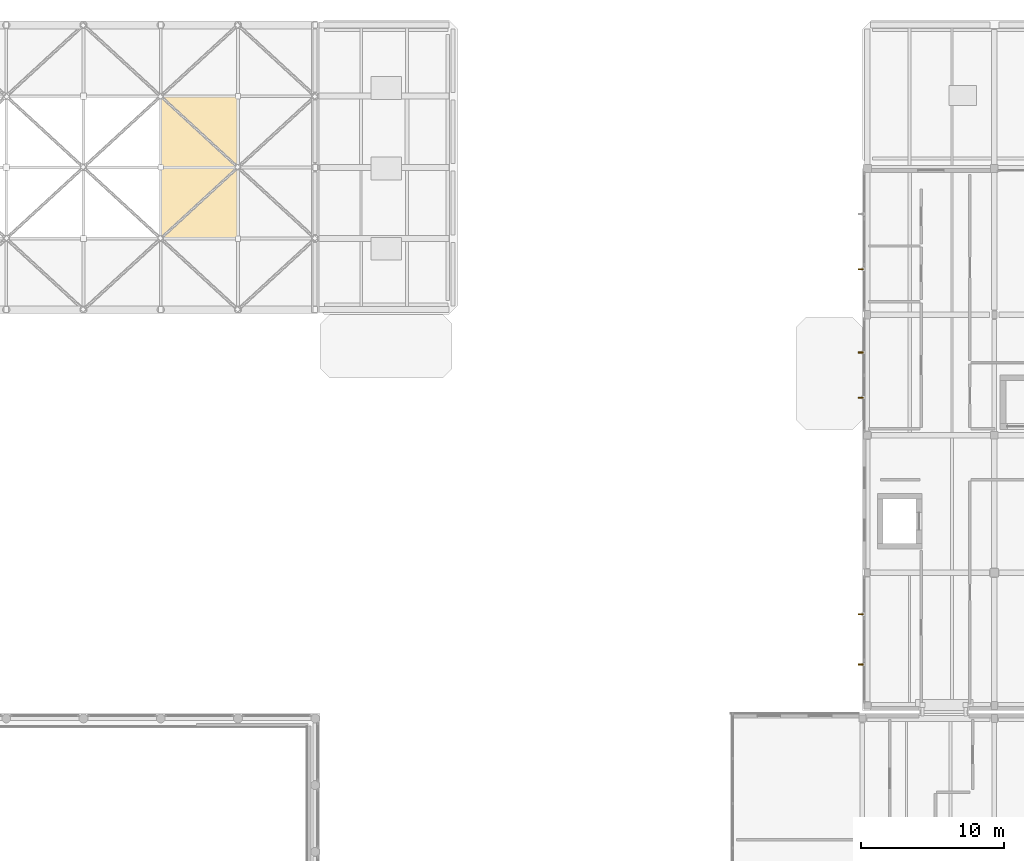
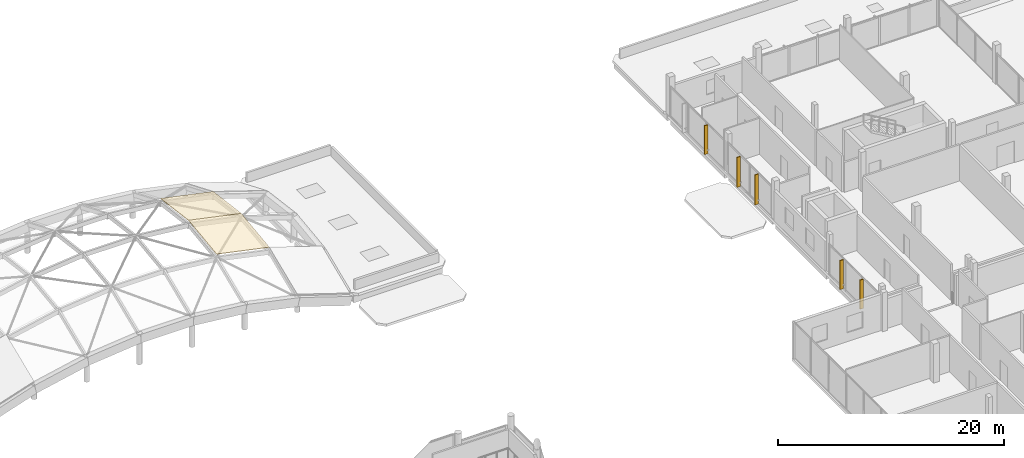
# One storey, part 62 of 66: 5 shading devices, 2 coverings.
"""IFC4 building model written with IfcOpenShell, lengths in metres."""

from ifc_helpers import new_model, si_unit, direction, frame, origin, origin_2d, place, context, subcontext, project, spatial, polyline, rectangle, outline, extrude, material, layer, layer_set, type_object, element, save


model = new_model("IFC4")

# Units and contexts
model_context = context("Model", 3, precision=1e-05, world=origin(), true_north=direction((0.0, 1.0)))
body_context = subcontext(model_context, "Body", "Model", "MODEL_VIEW")
ifc_project = project(units=[si_unit("LENGTHUNIT", "METRE"), si_unit("AREAUNIT", "SQUARE_METRE"), si_unit("VOLUMEUNIT", "CUBIC_METRE"), si_unit("PLANEANGLEUNIT", "RADIAN"), si_unit("MASSUNIT", "GRAM", prefix="KILO")], contexts=[model_context])

# Site, building, storey
site_placement = place(None, origin())
site = spatial("IfcSite", under=ifc_project, at=site_placement, CompositionType="ELEMENT")
building_placement = place(site_placement, origin())
building = spatial("IfcBuilding", under=site, at=building_placement, Name="Birchvale Park Specialist Clinic", CompositionType="ELEMENT")
storey_placement = place(building_placement, frame((0.0, 0.0, 5.39990234375)))
storey = spatial("IfcBuildingStorey", under=building, at=storey_placement, Name="L01", CompositionType="ELEMENT", Elevation=5.39990234375)

# Coverings
ifc_material_1 = material(Name="Standing-seam titanium-zinc roofing")
ifc_layer = layer(ifc_material_1, 0.054931640625)
ifc_layer_set = layer_set([ifc_layer], Name="Standing-seam titanium-zinc roofing")
covering_type = type_object("IfcCoveringType", Name="COV-RF2", PredefinedType="ROOFING", material=ifc_layer_set)
covering_1_placement = place(storey_placement, frame((79.07861328125, 96.512451171875, 5.031982421875), z_axis=(0.205783910179, -0.125498293751, 0.970516955327), x_axis=(0.978251099222, -2.70056e-06, -0.207424171361)))
element("IfcCovering", 1, at=covering_1_placement, inside=storey, type_object=covering_type, Name="V3 gridshell standing-seam covering 22", PredefinedType="ROOFING", context=body_context, shape_type="SweptSolid", body=[
    extrude(outline(polyline([(0.0, 0.0), (5.505505254504689, 0.0), (5.37235753946829, 5.002209282651488), (-0.13309707436956325, 5.002179309924906), (0.0, 0.0)])), origin(), (0.0, 0.0, -1.0), 0.054931640625),
])
covering_2_placement = place(storey_placement, frame((79.07861328125, 101.47509765625, 5.673583984375), z_axis=(0.205783750721, 0.125504370774, 0.970516203294), x_axis=(0.978251240948, -2.700713e-06, -0.207423502952)))
element("IfcCovering", 2, at=covering_2_placement, inside=storey, type_object=covering_type, Name="V3 gridshell standing-seam covering 23", PredefinedType="ROOFING", context=body_context, shape_type="SweptSolid", body=[
    extrude(outline(polyline([(0.0, 0.0), (5.505454613919443, -2.7755575615628914e-17), (5.63857509598917, 5.00196779788651), (0.13306984156607596, 5.0019378234328435), (0.0, 0.0)])), origin(), (0.0, 0.0, -1.0), 0.054931640625),
])

# Shading devices
ifc_material_2 = material(Name="Glulam GL28h", Category="wood")
shading_device_type = type_object("IfcShadingDeviceType", Name="SHD-FIN1", PredefinedType="USERDEFINED", material=ifc_material_2)
shading_device_placement = place(storey_placement, frame((127.89501953125, 94.3740234375, 0.05029296875), z_axis=(0.0, 0.0, 1.0), x_axis=(1.0, 0.0, 0.0)))
element("IfcShadingDevice", 3, at=shading_device_placement, inside=storey, type_object=shading_device_type, Name="V6 L01 glulam solar fin 29", ObjectType="FIN", PredefinedType="USERDEFINED", context=body_context, shape_type="SweptSolid", body=[
    extrude(rectangle(XDim=0.360107421875, YDim=0.090087890625, at=origin_2d()), origin(), (0.0, 0.0, 1.0), 3.135009765625),
])
for number, where, z_axis, x_axis, name in (
    (4, (127.89501953125, 88.55859375, 0.050048828125), (0.0, 0.0, 1.0), (1.0, 0.0, 0.0), "V6 L01 glulam solar fin 30"),
    (5, (127.89501953125, 85.41650390625, 0.050048828125), (0.0, 0.0, 1.0), (1.0, 0.0, 0.0), "V6 L01 glulam solar fin 31"),
):
    element("IfcShadingDevice", number, at=place(storey_placement, frame(where, z_axis=z_axis, x_axis=x_axis)), inside=storey, type_object=shading_device_type, Name=name, ObjectType="FIN", PredefinedType="USERDEFINED", context=body_context, shape_type="SweptSolid", body=[
        extrude(rectangle(XDim=0.360107421875, YDim=0.090087890625, at=origin_2d()), origin(), (0.0, 0.0, 1.0), 3.2451171875),
    ])
for number, where, z_axis, x_axis, name in (
    (6, (127.89501953125, 70.31689453125, 0.050048828125), (0.0, 0.0, 1.0), (1.0, 0.0, 0.0), "V6 L01 glulam solar fin 32"),
    (7, (127.89501953125, 66.81298828125, 0.050048828125), (0.0, 0.0, 1.0), (1.0, 0.0, 0.0), "V6 L01 glulam solar fin 33"),
):
    element("IfcShadingDevice", number, at=place(storey_placement, frame(where, z_axis=z_axis, x_axis=x_axis)), inside=storey, type_object=shading_device_type, Name=name, ObjectType="FIN", PredefinedType="USERDEFINED", context=body_context, shape_type="SweptSolid", body=[
        extrude(rectangle(XDim=0.360107421875, YDim=0.090087890625, at=origin_2d()), origin(), (0.0, 0.0, 1.0), 3.14501953125),
    ])

save(model, "model.ifc")
